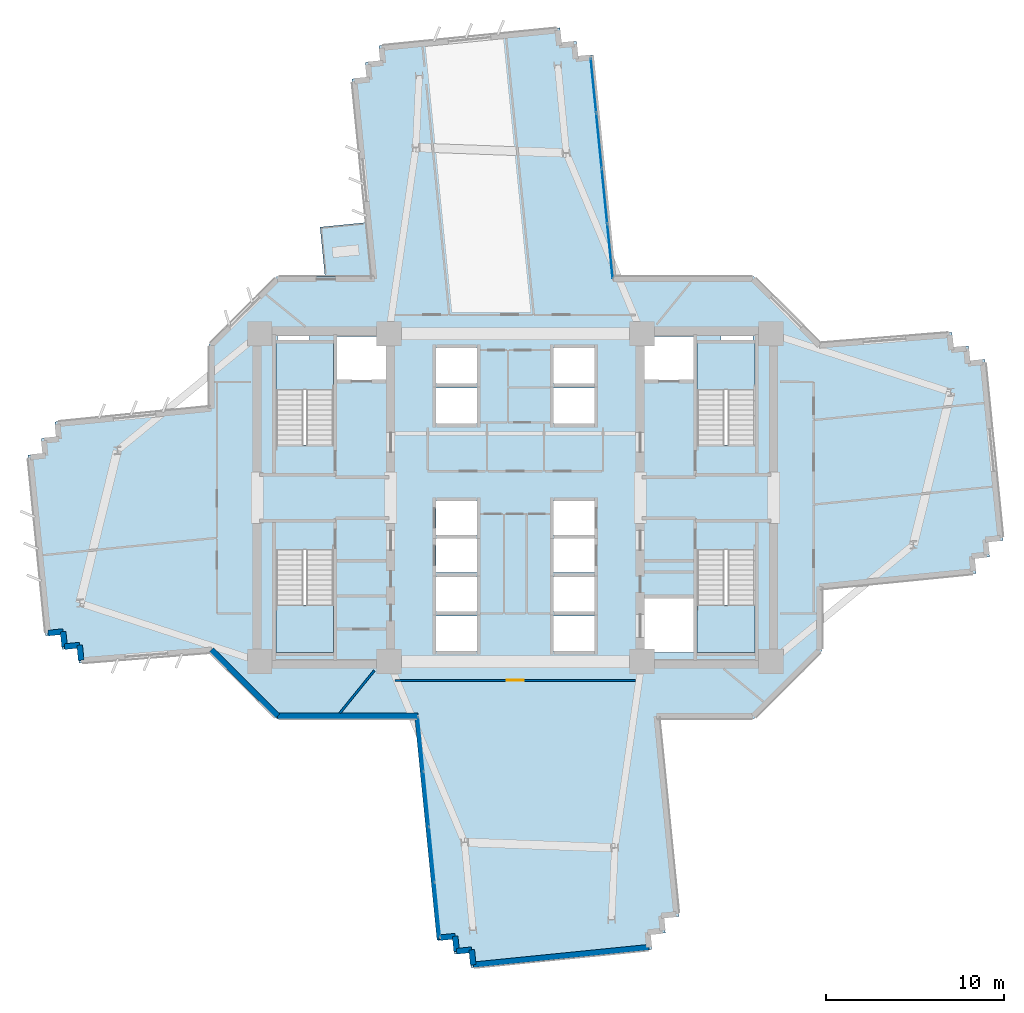
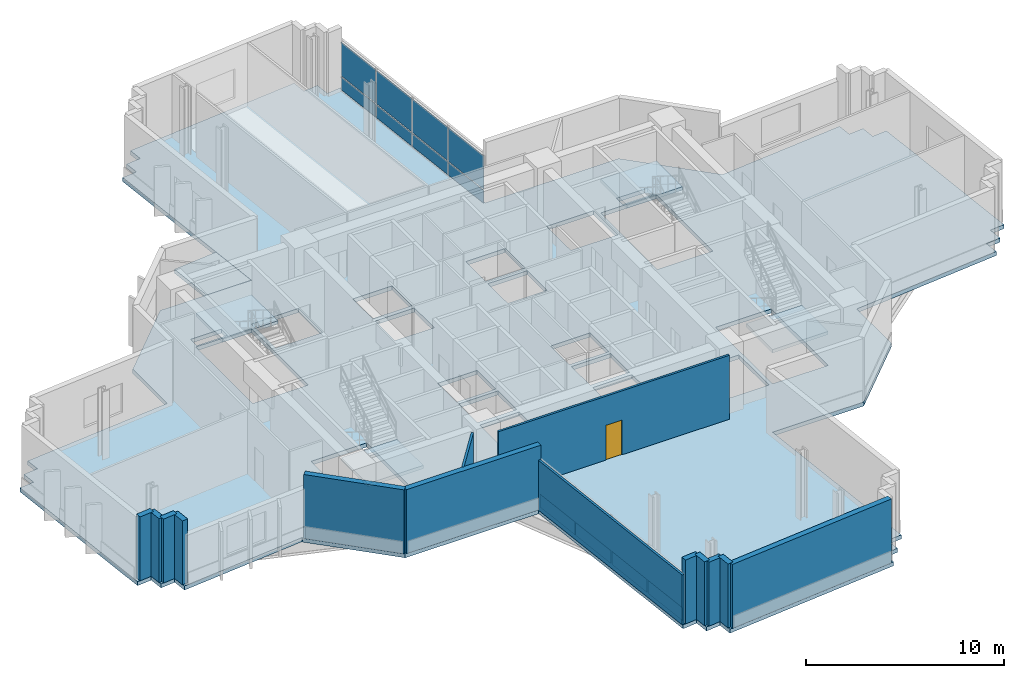
# One storey, part 5 of 14: 16 plates, 14 walls, 6 slabs, 1 door, 1 opening, 6 elements without a shape of their own.
"""IFC4 building model written with IfcOpenShell, lengths in metres."""

import ifcopenshell
import ifcopenshell.guid

model = None  # the IFC model being written
_history = None  # IfcOwnerHistory: only IFC2X3 demands one
_inside = {}  # id of a spatial element -> (the spatial element, [elements in it])
_under = {}  # id of a project, library or spatial element -> (it, [spatial elements below it])
_declared = {}  # id of a project -> (the project, [libraries it declares])
_typed = {}  # id of a type object -> (the type object, [elements of that type])
_made_of = {}  # id of a material, layer set ... -> (it, [elements and type objects made of it])


def new_model(schema):
    """Start an empty IFC model of exactly this schema.

    Asked for "IFC4X3", IfcOpenShell would pick the latest addendum, in which some entities
    have other attributes; the version numbers below select the first issue.
    IFC2X3 requires an IfcOwnerHistory on every rooted entity: one is made here for all.
    """
    global model, _history
    if schema == "IFC4X3":
        model = ifcopenshell.file(schema_version=(4, 3, 0, 0))
    else:
        model = ifcopenshell.file(schema=schema)
    _inside.clear()
    _under.clear()
    _declared.clear()
    _typed.clear()
    _made_of.clear()
    _history = None
    if model.schema == "IFC2X3":
        org = make("IfcOrganization", Name="unknown")
        user = make(
            "IfcPersonAndOrganization",
            ThePerson=make("IfcPerson", FamilyName="unknown"),
            TheOrganization=org,
        )
        app = make(
            "IfcApplication",
            ApplicationDeveloper=org,
            Version="unknown",
            ApplicationFullName="unknown",
            ApplicationIdentifier="unknown",
        )
        _history = make(
            "IfcOwnerHistory",
            OwningUser=user,
            OwningApplication=app,
            ChangeAction="ADDED",
            CreationDate=0,
        )
    return model


def make(cls, **values):
    """One entity of the class cls with the attributes given. An attribute that is None is left unset."""
    return model.create_entity(
        cls, **{name: value for name, value in values.items() if value is not None}
    )


def rooted(cls, **values):
    """An entity with a GlobalId (a new one), such as an element, a storey or a relation."""
    return make(cls, GlobalId=ifcopenshell.guid.new(), OwnerHistory=_history, **values)


def si_unit(unit_type, name, prefix=None):
    """IfcSIUnit, for example si_unit("LENGTHUNIT", "METRE", prefix="MILLI")."""
    return make("IfcSIUnit", UnitType=unit_type, Prefix=prefix, Name=name)


def assignment(units):
    """IfcUnitAssignment: the units of a project."""
    return None if units is None else make("IfcUnitAssignment", Units=units)


def point(xyz):
    """IfcCartesianPoint."""
    return None if xyz is None else make("IfcCartesianPoint", Coordinates=xyz)


def direction(xyz):
    """IfcDirection."""
    return None if xyz is None else make("IfcDirection", DirectionRatios=xyz)


def frame(location, z_axis=None, x_axis=None):
    """IfcAxis2Placement3D, a coordinate frame: its origin and axes. An axis left out is left unset."""
    return make(
        "IfcAxis2Placement3D",
        Location=point(location),
        Axis=direction(z_axis),
        RefDirection=direction(x_axis),
    )


def frame_2d(location, x_axis=None):
    """IfcAxis2Placement2D, a coordinate frame in the plane: its origin and x axis."""
    return make(
        "IfcAxis2Placement2D", Location=point(location), RefDirection=direction(x_axis)
    )


def origin():
    """The frame at (0, 0, 0) with its axes left unset."""
    return frame((0.0, 0.0, 0.0))


def origin_2d():
    """The frame at (0, 0) in the plane with its x axis left unset."""
    return frame_2d((0.0, 0.0))


def place(relative_to, where):
    """IfcLocalPlacement: puts the frame where relative to a parent placement (None: the world)."""
    return make(
        "IfcLocalPlacement", PlacementRelTo=relative_to, RelativePlacement=where
    )


def context(
    kind, dimensions, precision=None, world=None, true_north=None, identifier=None
):
    """IfcGeometricRepresentationContext, for example the 3D "Model" context."""
    return make(
        "IfcGeometricRepresentationContext",
        ContextIdentifier=identifier,
        ContextType=kind,
        CoordinateSpaceDimension=dimensions,
        Precision=precision,
        WorldCoordinateSystem=world,
        TrueNorth=true_north,
    )


def subcontext(parent, identifier, kind, view, scale=None):
    """IfcGeometricRepresentationSubContext, for example "Body" below "Model"."""
    return make(
        "IfcGeometricRepresentationSubContext",
        ContextIdentifier=identifier,
        ContextType=kind,
        ParentContext=parent,
        TargetScale=scale,
        TargetView=view,
    )


def project(units=None, contexts=None):
    """IfcProject with its units and contexts."""
    return rooted(
        "IfcProject",
        Name="project",
        RepresentationContexts=contexts,
        UnitsInContext=assignment(units),
    )


def spatial(cls, under=None, at=None, **own):
    """A site, building, storey or space (cls), placed at a placement, below another one or the project."""
    s = rooted(cls, ObjectPlacement=at, **own)
    if under is not None:
        _under.setdefault(under.id(), (under, []))[1].append(s)
    return s


def polyline(points):
    """IfcPolyline through the points."""
    return make("IfcPolyline", Points=[point(p) for p in points])


def profile(cls, at=None, kind="AREA", **sizes):
    """A parametric profile (cls). Its sizes go by their IFC names, for example OverallWidth=200.0."""
    return make(cls, ProfileType=kind, Position=at, **sizes)


def rectangle(**sizes):
    """IfcRectangleProfileDef."""
    return profile("IfcRectangleProfileDef", **sizes)


def outline(outer, holes=None, kind="AREA"):
    """IfcArbitraryClosedProfileDef: a profile drawn as a closed curve; with holes, ...WithVoids."""
    if holes is None:
        return make("IfcArbitraryClosedProfileDef", ProfileType=kind, OuterCurve=outer)
    return make(
        "IfcArbitraryProfileDefWithVoids",
        ProfileType=kind,
        OuterCurve=outer,
        InnerCurves=holes,
    )


def extrude(swept, where, along, depth):
    """IfcExtrudedAreaSolid: the profile swept, set in the frame where, extruded along a direction by depth."""
    return make(
        "IfcExtrudedAreaSolid",
        SweptArea=swept,
        Position=where,
        ExtrudedDirection=direction(along),
        Depth=depth,
    )


def shape(context_of_items, identifier, shape_type, items):
    """IfcShapeRepresentation: the items that make up one representation, for example the "Body"."""
    return make(
        "IfcShapeRepresentation",
        ContextOfItems=context_of_items,
        RepresentationIdentifier=identifier,
        RepresentationType=shape_type,
        Items=items,
    )


def source(mapping_origin, context_of_items, identifier, shape_type, items):
    """IfcRepresentationMap: a shape defined once, which mapped items show again and again."""
    return make(
        "IfcRepresentationMap",
        MappingOrigin=mapping_origin,
        MappedRepresentation=shape(context_of_items, identifier, shape_type, items),
    )


def transform(
    local_origin,
    x_axis=None,
    y_axis=None,
    z_axis=None,
    scale=None,
    scale2=None,
    scale3=None,
    uniform=True,
):
    """IfcCartesianTransformationOperator3D, or its non-uniform kind. x_axis, y_axis, z_axis: its Axis1, 2, 3."""
    if uniform:
        return make(
            "IfcCartesianTransformationOperator3D",
            Axis1=direction(x_axis),
            Axis2=direction(y_axis),
            LocalOrigin=point(local_origin),
            Scale=scale,
            Axis3=direction(z_axis),
        )
    return make(
        "IfcCartesianTransformationOperator3DnonUniform",
        Axis1=direction(x_axis),
        Axis2=direction(y_axis),
        LocalOrigin=point(local_origin),
        Scale=scale,
        Axis3=direction(z_axis),
        Scale2=scale2,
        Scale3=scale3,
    )


def mapped(mapping_source, mapping_target):
    """IfcMappedItem: shows the shape of a source again, moved by a transform."""
    return make(
        "IfcMappedItem", MappingSource=mapping_source, MappingTarget=mapping_target
    )


def material(Name=None, Category=None):
    """IfcMaterial."""
    return make("IfcMaterial", Name=Name, Category=Category)


def layer(
    of_material, thickness, ventilated=None, Name=None, Category=None, Priority=None
):
    """IfcMaterialLayer: one layer of a wall or slab, of a material (None: an air gap)."""
    return make(
        "IfcMaterialLayer",
        Material=of_material,
        LayerThickness=thickness,
        IsVentilated=ventilated,
        Name=Name,
        Category=Category,
        Priority=Priority,
    )


def layer_set(layers, Name=None):
    """IfcMaterialLayerSet."""
    return make("IfcMaterialLayerSet", MaterialLayers=layers, LayerSetName=Name)


def made_of(thing, what):
    """Note that an element or type object is made of a material, layer set ...; save() writes the relation."""
    if what is not None:
        _made_of.setdefault(what.id(), (what, []))[1].append(thing)
    return thing


def type_object(cls, material=None, **own):
    """A type object (cls), such as IfcWallType, which elements share."""
    return made_of(rooted(cls, **own), material)


def element(
    cls,
    number,
    at=None,
    inside=None,
    cuts=None,
    type_object=None,
    material=None,
    context=None,
    identifier="Body",
    shape_type=None,
    held_by="IfcProductDefinitionShape",
    body=None,
    shapes=None,
    **own,
):
    """One element of the class cls, such as IfcWall. Its Tag is "e" and its number.

    at: its placement. inside: the storey or other place that contains it. cuts: it is an
    opening in that element (IfcRelVoidsElement). A single representation is given by context,
    identifier, shape_type and body (its items); several are given by shapes. held_by: the class
    of the entity that holds the representations. save() writes the other relations.
    """
    e = rooted(cls, Tag="e%d" % number, ObjectPlacement=at, **own)
    if body is not None:
        shapes = [shape(context, identifier, shape_type, body)]
    if shapes is not None:
        e.Representation = make(held_by, Representations=shapes)
    if inside is not None:
        _inside.setdefault(inside.id(), (inside, []))[1].append(e)
    if cuts is not None:
        rooted(
            "IfcRelVoidsElement", RelatingBuildingElement=cuts, RelatedOpeningElement=e
        )
    if type_object is not None:
        _typed.setdefault(type_object.id(), (type_object, []))[1].append(e)
    return made_of(e, material)


def fill(opening, filler):
    """IfcRelFillsElement: the door or window that sits in an opening."""
    return rooted(
        "IfcRelFillsElement",
        RelatingOpeningElement=opening,
        RelatedBuildingElement=filler,
    )


def aggregate(whole, parts):
    """IfcRelAggregates: a whole, such as a stair, and the parts it consists of."""
    return rooted("IfcRelAggregates", RelatingObject=whole, RelatedObjects=parts)


def save(model, path):
    """Write the relations noted so far, then the file.

    IfcRelAggregates (storeys below a building ...), IfcRelContainedInSpatialStructure (elements
    in a storey), IfcRelDefinesByType, IfcRelAssociatesMaterial and IfcRelDeclares: one each for
    every whole, place, type object, material and project.
    """
    for whole, parts in _under.values():
        aggregate(whole, parts)
    for where, things in _inside.values():
        rooted(
            "IfcRelContainedInSpatialStructure",
            RelatedElements=things,
            RelatingStructure=where,
        )
    for kind, things in _typed.values():
        rooted("IfcRelDefinesByType", RelatedObjects=things, RelatingType=kind)
    for what, things in _made_of.values():
        rooted("IfcRelAssociatesMaterial", RelatedObjects=things, RelatingMaterial=what)
    for by, libraries in _declared.values():
        rooted("IfcRelDeclares", RelatingContext=by, RelatedDefinitions=libraries)
    model.write(path)


model = new_model("IFC4")

# Units and contexts
model_context = context("Model", 3, precision=1e-05, world=origin(), true_north=direction((0.0, 1.0)))
body_context = subcontext(model_context, "Body", "Model", "MODEL_VIEW")
ifc_project = project(units=[si_unit("LENGTHUNIT", "METRE"), si_unit("AREAUNIT", "SQUARE_METRE"), si_unit("VOLUMEUNIT", "CUBIC_METRE"), si_unit("PLANEANGLEUNIT", "RADIAN"), si_unit("MASSUNIT", "GRAM", prefix="KILO")], contexts=[model_context])

# Site, building, storey
site_placement = place(None, origin())
site = spatial("IfcSite", under=ifc_project, at=site_placement, CompositionType="ELEMENT")
building_placement = place(site_placement, origin())
building = spatial("IfcBuilding", under=site, at=building_placement, Name="Zahravan Cultural Tower", CompositionType="ELEMENT")
storey_placement = place(building_placement, frame((0.0, 0.0, 96.300048828125)))
storey = spatial("IfcBuildingStorey", under=building, at=storey_placement, Name="L21", CompositionType="ELEMENT", Elevation=96.300048828125)

# Stair, slab
ifc_material_1 = material(Name="Concrete C45/55", Category="concrete")
stair_type = type_object("IfcStairType", Name="STR-DL-1550-420", PredefinedType="HALF_TURN_STAIR", material=ifc_material_1)
stair_1_placement = place(storey_placement, origin())
stair_1 = element("IfcStair", 1, at=stair_1_placement, inside=storey, type_object=stair_type, Name="L21 West Core North Exit Stair ST-W1", PredefinedType="HALF_TURN_STAIR")
ifc_layer_1 = layer(ifc_material_1, 0.199951171875)
ifc_layer_set_1 = layer_set([ifc_layer_1], Name="Concrete C45/55")
slab_type_1 = type_object("IfcSlabType", Name="SL-STAIR-LND200", PredefinedType="LANDING", material=ifc_layer_set_1)
slab_1_placement = place(storey_placement, frame((0.0, 0.0, 1.89990234375)))
slab_1 = element("IfcSlab", 2, at=slab_1_placement, type_object=slab_type_1, Name="ST-W1 landing 1", PredefinedType="LANDING", context=body_context, shape_type="SweptSolid", body=[
    extrude(outline(polyline([(25.800048828125, 33.030029296875), (25.800048828125, 35.699951171875), (22.550048828125, 35.699951171875), (22.550048828125, 33.030029296875), (25.800048828125, 33.030029296875)])), origin(), (0.0, 0.0, 1.0), 0.199951171875),
])
aggregate(stair_1, [slab_1])

stair_2_placement = place(storey_placement, origin())
stair_2 = element("IfcStair", 3, at=stair_2_placement, inside=storey, type_object=stair_type, Name="L21 West Core South Exit Stair ST-W2", PredefinedType="HALF_TURN_STAIR")
slab_2_placement = place(storey_placement, frame((0.0, 0.0, 1.89990234375)))
slab_2 = element("IfcSlab", 4, at=slab_2_placement, type_object=slab_type_1, Name="ST-W2 landing 1", PredefinedType="LANDING", context=body_context, shape_type="SweptSolid", body=[
    extrude(outline(polyline([(22.550048828125, 20.969970703125), (22.550048828125, 18.300048828125), (25.800048828125, 18.300048828125), (25.800048828125, 20.969970703125), (22.550048828125, 20.969970703125)])), origin(), (0.0, 0.0, 1.0), 0.199951171875),
])
aggregate(stair_2, [slab_2])

stair_3_placement = place(storey_placement, origin())
stair_3 = element("IfcStair", 5, at=stair_3_placement, inside=storey, type_object=stair_type, Name="L21 East Core North Exit Stair ST-E1", PredefinedType="HALF_TURN_STAIR")
slab_3_placement = place(storey_placement, frame((0.0, 0.0, 1.89990234375)))
slab_3 = element("IfcSlab", 6, at=slab_3_placement, type_object=slab_type_1, Name="ST-E1 landing 1", PredefinedType="LANDING", context=body_context, shape_type="SweptSolid", body=[
    extrude(outline(polyline([(49.449951171875, 33.030029296875), (49.449951171875, 35.699951171875), (46.199951171875, 35.699951171875), (46.199951171875, 33.030029296875), (49.449951171875, 33.030029296875)])), origin(), (0.0, 0.0, 1.0), 0.199951171875),
])
aggregate(stair_3, [slab_3])

stair_4_placement = place(storey_placement, origin())
stair_4 = element("IfcStair", 7, at=stair_4_placement, inside=storey, type_object=stair_type, Name="L21 East Core South Exit Stair ST-E2", PredefinedType="HALF_TURN_STAIR")
slab_4_placement = place(storey_placement, frame((0.0, 0.0, 1.89990234375)))
slab_4 = element("IfcSlab", 8, at=slab_4_placement, type_object=slab_type_1, Name="ST-E2 landing 1", PredefinedType="LANDING", context=body_context, shape_type="SweptSolid", body=[
    extrude(outline(polyline([(46.199951171875, 20.969970703125), (46.199951171875, 18.300048828125), (49.449951171875, 18.300048828125), (49.449951171875, 20.969970703125), (46.199951171875, 20.969970703125)])), origin(), (0.0, 0.0, 1.0), 0.199951171875),
])
aggregate(stair_4, [slab_4])

# Slabs
ifc_material_2 = material(Name="Concrete C40/50", Category="concrete")
ifc_layer_2 = layer(ifc_material_2, 0.239990234375)
ifc_layer_set_2 = layer_set([ifc_layer_2], Name="Concrete C40/50")
slab_type_2 = type_object("IfcSlabType", Name="SL-TERR-240", PredefinedType="FLOOR", material=ifc_layer_set_2)
slab_5_placement = place(storey_placement, frame((0.0, 0.0, -0.239990234375)))
element("IfcSlab", 9, at=slab_5_placement, inside=storey, type_object=slab_type_2, Name="L21 Planted Sculpture Terrace NW", PredefinedType="FLOOR", context=body_context, shape_type="SweptSolid", body=[
    extrude(outline(polyline([(25.03759765625, 42.186279296875), (25.315185546875, 39.405029296875), (27.923095703125, 39.405029296875), (27.61962890625, 42.444091796875), (25.03759765625, 42.186279296875)])), origin(), (0.0, 0.0, 1.0), 0.239990234375),
])
ifc_layer_3 = layer(ifc_material_2, 0.25)
ifc_layer_set_3 = layer_set([ifc_layer_3], Name="Concrete C40/50")
slab_type_3 = type_object("IfcSlabType", Name="SL-TYP-250", PredefinedType="FLOOR", material=ifc_layer_set_3)
slab_6_placement = place(storey_placement, frame((0.0, 0.0, -0.25)))
element("IfcSlab", 10, at=slab_6_placement, inside=storey, type_object=slab_type_3, Name="L21 Structural Floor Slab", PredefinedType="FLOOR", context=body_context, shape_type="SweptSolid", body=[
    extrude(outline(polyline([(53.199951171875, 35.550537109375), (53.199951171875, 35.60009765625), (49.39990234375, 39.39990234375), (41.59619140625, 39.39990234375), (40.352783203125, 51.855224609375), (39.507080078125, 51.770751953125), (39.422607421875, 52.61669921875), (38.576904296875, 52.5322265625), (38.492431640625, 53.3779296875), (28.343017578125, 52.364990234375), (28.42724609375, 51.51904296875), (27.58154296875, 51.434814453125), (27.666015625, 50.5888671875), (26.8203125, 50.50439453125), (27.928466796875, 39.39990234375), (22.60009765625, 39.39990234375), (18.800048828125, 35.60009765625), (18.800048828125, 32.116943359375), (10.149658203125, 31.253662109375), (10.234130859375, 30.40771484375), (9.38818359375, 30.323486328125), (9.472900390625, 29.4775390625), (8.626953125, 29.393310546875), (9.639892578125, 19.24365234375), (10.48583984375, 19.327880859375), (10.5703125, 18.482177734375), (11.416015625, 18.566650390625), (11.50048828125, 17.720703125), (18.800048828125, 18.449462890625), (18.800048828125, 18.39990234375), (22.60009765625, 14.60009765625), (30.40380859375, 14.60009765625), (31.647216796875, 2.144775390625), (32.492919921875, 2.229248046875), (32.577392578125, 1.38330078125), (33.423095703125, 1.4677734375), (33.507568359375, 0.6220703125), (43.656982421875, 1.635009765625), (43.57275390625, 2.48095703125), (44.41845703125, 2.565185546875), (44.333984375, 3.4111328125), (45.1796875, 3.49560546875), (44.071533203125, 14.60009765625), (49.39990234375, 14.60009765625), (53.199951171875, 18.39990234375), (53.199951171875, 21.883056640625), (61.850341796875, 22.746337890625), (61.765869140625, 23.59228515625), (62.61181640625, 23.676513671875), (62.527099609375, 24.5224609375), (63.373046875, 24.606689453125), (62.360107421875, 34.75634765625), (61.51416015625, 34.672119140625), (61.4296875, 35.517822265625), (60.583984375, 35.433349609375), (60.49951171875, 36.279296875), (53.199951171875, 35.550537109375)]), holes=[polyline([(22.550048828125, 29.949951171875), (22.550048828125, 35.699951171875), (25.800048828125, 35.699951171875), (25.800048828125, 29.949951171875), (22.550048828125, 29.949951171875)]), polyline([(22.550048828125, 18.300048828125), (22.550048828125, 24.050048828125), (25.800048828125, 24.050048828125), (25.800048828125, 18.300048828125), (22.550048828125, 18.300048828125)]), polyline([(46.199951171875, 29.949951171875), (46.199951171875, 35.699951171875), (49.449951171875, 35.699951171875), (49.449951171875, 29.949951171875), (46.199951171875, 29.949951171875)]), polyline([(46.199951171875, 18.300048828125), (46.199951171875, 24.050048828125), (49.449951171875, 24.050048828125), (49.449951171875, 18.300048828125), (46.199951171875, 18.300048828125)]), polyline([(26.0, 33.60009765625), (26.0, 36.050048828125), (28.75, 36.050048828125), (28.75, 33.60009765625), (26.0, 33.60009765625)]), polyline([(43.25, 33.60009765625), (43.25, 36.050048828125), (46.0, 36.050048828125), (46.0, 33.60009765625), (43.25, 33.60009765625)]), polyline([(43.25, 18.300048828125), (43.25, 21.35009765625), (46.0, 21.35009765625), (46.0, 18.300048828125), (43.25, 18.300048828125)]), polyline([(31.550048828125, 33.39990234375), (31.550048828125, 35.39990234375), (33.85009765625, 35.39990234375), (33.85009765625, 33.39990234375), (31.550048828125, 33.39990234375)]), polyline([(31.550048828125, 31.14990234375), (31.550048828125, 33.14990234375), (33.85009765625, 33.14990234375), (33.85009765625, 31.14990234375), (31.550048828125, 31.14990234375)]), polyline([(38.14990234375, 33.39990234375), (38.14990234375, 35.39990234375), (40.449951171875, 35.39990234375), (40.449951171875, 33.39990234375), (38.14990234375, 33.39990234375)]), polyline([(38.14990234375, 31.14990234375), (38.14990234375, 33.14990234375), (40.449951171875, 33.14990234375), (40.449951171875, 31.14990234375), (38.14990234375, 31.14990234375)]), polyline([(31.550048828125, 20.60009765625), (31.550048828125, 22.550048828125), (33.85009765625, 22.550048828125), (33.85009765625, 20.60009765625), (31.550048828125, 20.60009765625)]), polyline([(31.550048828125, 18.39990234375), (31.550048828125, 20.35009765625), (33.85009765625, 20.35009765625), (33.85009765625, 18.39990234375), (31.550048828125, 18.39990234375)]), polyline([(38.14990234375, 20.60009765625), (38.14990234375, 22.550048828125), (40.449951171875, 22.550048828125), (40.449951171875, 20.60009765625), (38.14990234375, 20.60009765625)]), polyline([(38.14990234375, 18.39990234375), (38.14990234375, 20.35009765625), (40.449951171875, 20.35009765625), (40.449951171875, 18.39990234375), (38.14990234375, 18.39990234375)]), polyline([(31.550048828125, 24.89990234375), (31.550048828125, 26.800048828125), (33.85009765625, 26.800048828125), (33.85009765625, 24.89990234375), (31.550048828125, 24.89990234375)]), polyline([(31.550048828125, 22.800048828125), (31.550048828125, 24.699951171875), (33.85009765625, 24.699951171875), (33.85009765625, 22.800048828125), (31.550048828125, 22.800048828125)]), polyline([(38.14990234375, 24.89990234375), (38.14990234375, 26.800048828125), (40.449951171875, 26.800048828125), (40.449951171875, 24.89990234375), (38.14990234375, 24.89990234375)]), polyline([(38.14990234375, 22.800048828125), (38.14990234375, 24.699951171875), (40.449951171875, 24.699951171875), (40.449951171875, 22.800048828125), (38.14990234375, 22.800048828125)]), polyline([(22.64990234375, 35.800048828125), (22.64990234375, 36.419921875), (24.449951171875, 36.419921875), (24.449951171875, 35.800048828125), (22.64990234375, 35.800048828125)]), polyline([(47.550048828125, 35.800048828125), (47.550048828125, 36.419921875), (49.35009765625, 36.419921875), (49.35009765625, 35.800048828125), (47.550048828125, 35.800048828125)])]), origin(), (0.0, 0.0, 1.0), 0.25),
])

# Curtain wall, plates
ifc_material_3 = material(Name="Anodised bronze-aluminium mullion", Category="aluminium")
ifc_layer_4 = layer(ifc_material_3, 0.179931640625)
ifc_layer_set_4 = layer_set([ifc_layer_4], Name="Anodised bronze-aluminium mullion")
curtain_wall_type_1 = type_object("IfcCurtainWallType", Name="CW-SYS-3", PredefinedType="USERDEFINED", material=ifc_layer_set_4)
curtain_wall_1_placement = place(storey_placement, origin())
curtain_wall_1 = element("IfcCurtainWall", 11, at=curtain_wall_1_placement, inside=storey, type_object=curtain_wall_type_1, Name="L21 Recessed Curtain Wall CW-3.1", ObjectType="RECESSED GLAZING", PredefinedType="USERDEFINED")
ifc_material_4 = material(Name="Low-E solar-control double glazing", Category="glass")
ifc_layer_5 = layer(ifc_material_4, 0.028076171875)
ifc_layer_set_5 = layer_set([ifc_layer_5], Name="Low-E solar-control double glazing")
plate_type_1 = type_object("IfcPlateType", Name="CWP-CW-3", PredefinedType="CURTAIN_PANEL", material=ifc_layer_set_5)
shared_shape_1 = source(origin(), body_context, "Body", "SweptSolid", [
    extrude(rectangle(XDim=3.02099609375, YDim=0.028076171875, at=origin_2d()), origin(), (0.0, 0.0, 1.0), 0.794921875),
])
plate_1_placement = place(storey_placement, frame((40.384521484375, 50.12939453125, 0.070068359375), z_axis=(0.0, 0.0, 1.0), x_axis=(0.099321594883, -0.99505538579, 0.0)))
plate_1 = element("IfcPlate", 12, at=plate_1_placement, type_object=plate_type_1, Name="CW-3 panel 1.1", PredefinedType="CURTAIN_PANEL", context=body_context, shape_type="MappedRepresentation", body=[
    mapped(shared_shape_1, transform((0.0, 0.0, 0.0), x_axis=(1.0, 0.0, 0.0), y_axis=(0.0, 1.0, 0.0), z_axis=(0.0, 0.0, 1.0), scale=1.0)),
])
plate_2_placement = place(storey_placement, frame((41.3125, 40.832763671875, 0.070068359375), z_axis=(0.0, 0.0, 1.0), x_axis=(0.099321594883, -0.99505538579, 0.0)))
plate_2 = element("IfcPlate", 13, at=plate_2_placement, type_object=plate_type_1, Name="CW-3 panel 4.1", PredefinedType="CURTAIN_PANEL", context=body_context, shape_type="MappedRepresentation", body=[
    mapped(shared_shape_1, transform((0.0, 0.0, 0.0), x_axis=(1.0, 0.0, 0.0), y_axis=(0.0, 1.0, 0.0), z_axis=(0.0, 0.0, 1.0), scale=1.0)),
])
shared_shape_2 = source(origin(), body_context, "Body", "SweptSolid", [
    extrude(rectangle(XDim=3.02099609375, YDim=0.028076171875, at=origin_2d()), origin(), (0.0, 0.0, 1.0), 2.06494140625),
])
plate_3_placement = place(storey_placement, frame((40.384521484375, 50.12939453125, 0.93505859375), z_axis=(0.0, 0.0, 1.0), x_axis=(0.099321594883, -0.99505538579, 0.0)))
plate_3 = element("IfcPlate", 14, at=plate_3_placement, type_object=plate_type_1, Name="CW-3 panel 1.2", PredefinedType="CURTAIN_PANEL", context=body_context, shape_type="MappedRepresentation", body=[
    mapped(shared_shape_2, transform((0.0, 0.0, 0.0), x_axis=(1.0, 0.0, 0.0), y_axis=(0.0, 1.0, 0.0), z_axis=(0.0, 0.0, 1.0), scale=1.0)),
])
plate_4_placement = place(storey_placement, frame((41.3125, 40.832763671875, 0.93505859375), z_axis=(0.0, 0.0, 1.0), x_axis=(0.099321594883, -0.99505538579, 0.0)))
plate_4 = element("IfcPlate", 15, at=plate_4_placement, type_object=plate_type_1, Name="CW-3 panel 4.2", PredefinedType="CURTAIN_PANEL", context=body_context, shape_type="MappedRepresentation", body=[
    mapped(shared_shape_2, transform((0.0, 0.0, 0.0), x_axis=(1.0, 0.0, 0.0), y_axis=(0.0, 1.0, 0.0), z_axis=(0.0, 0.0, 1.0), scale=1.0)),
])
shared_shape_3 = source(origin(), body_context, "Body", "SweptSolid", [
    extrude(rectangle(XDim=3.055908203125, YDim=0.028076171875, at=origin_2d()), origin(), (0.0, 0.0, 1.0), 0.794921875),
])
plate_5_placement = place(storey_placement, frame((40.693115234375, 47.0361328125, 0.070068359375), z_axis=(0.0, 0.0, 1.0), x_axis=(0.099321594883, -0.99505538579, 0.0)))
plate_5 = element("IfcPlate", 16, at=plate_5_placement, type_object=plate_type_1, Name="CW-3 panel 2.1", PredefinedType="CURTAIN_PANEL", context=body_context, shape_type="MappedRepresentation", body=[
    mapped(shared_shape_3, transform((0.0, 0.0, 0.0), x_axis=(1.0, 0.0, 0.0), y_axis=(0.0, 1.0, 0.0), z_axis=(0.0, 0.0, 1.0), scale=1.0)),
])
plate_6_placement = place(storey_placement, frame((41.003662109375, 43.92578125, 0.070068359375), z_axis=(0.0, 0.0, 1.0), x_axis=(0.099321594883, -0.99505538579, 0.0)))
plate_6 = element("IfcPlate", 17, at=plate_6_placement, type_object=plate_type_1, Name="CW-3 panel 3.1", PredefinedType="CURTAIN_PANEL", context=body_context, shape_type="MappedRepresentation", body=[
    mapped(shared_shape_3, transform((0.0, 0.0, 0.0), x_axis=(1.0, 0.0, 0.0), y_axis=(0.0, 1.0, 0.0), z_axis=(0.0, 0.0, 1.0), scale=1.0)),
])
shared_shape_4 = source(origin(), body_context, "Body", "SweptSolid", [
    extrude(rectangle(XDim=3.055908203125, YDim=0.028076171875, at=origin_2d()), origin(), (0.0, 0.0, 1.0), 2.06494140625),
])
plate_7_placement = place(storey_placement, frame((40.693115234375, 47.0361328125, 0.93505859375), z_axis=(0.0, 0.0, 1.0), x_axis=(0.099321594883, -0.99505538579, 0.0)))
plate_7 = element("IfcPlate", 18, at=plate_7_placement, type_object=plate_type_1, Name="CW-3 panel 2.2", PredefinedType="CURTAIN_PANEL", context=body_context, shape_type="MappedRepresentation", body=[
    mapped(shared_shape_4, transform((0.0, 0.0, 0.0), x_axis=(1.0, 0.0, 0.0), y_axis=(0.0, 1.0, 0.0), z_axis=(0.0, 0.0, 1.0), scale=1.0)),
])
plate_8_placement = place(storey_placement, frame((41.003662109375, 43.92578125, 0.93505859375), z_axis=(0.0, 0.0, 1.0), x_axis=(0.099321594883, -0.99505538579, 0.0)))
plate_8 = element("IfcPlate", 19, at=plate_8_placement, type_object=plate_type_1, Name="CW-3 panel 3.2", PredefinedType="CURTAIN_PANEL", context=body_context, shape_type="MappedRepresentation", body=[
    mapped(shared_shape_4, transform((0.0, 0.0, 0.0), x_axis=(1.0, 0.0, 0.0), y_axis=(0.0, 1.0, 0.0), z_axis=(0.0, 0.0, 1.0), scale=1.0)),
])
aggregate(curtain_wall_1, [plate_1, plate_3, plate_5, plate_7, plate_6, plate_8, plate_2, plate_4])

ifc_layer_6 = layer(ifc_material_3, 0.1650390625)
ifc_layer_set_6 = layer_set([ifc_layer_6], Name="Anodised bronze-aluminium mullion")
curtain_wall_type_2 = type_object("IfcCurtainWallType", Name="CW-SYS-4", PredefinedType="USERDEFINED", material=ifc_layer_set_6)
curtain_wall_2_placement = place(storey_placement, origin())
curtain_wall_2 = element("IfcCurtainWall", 20, at=curtain_wall_2_placement, inside=storey, type_object=curtain_wall_type_2, Name="L21 Recessed Curtain Wall CW-4.2", ObjectType="RECESSED GLAZING", PredefinedType="USERDEFINED")
ifc_layer_7 = layer(ifc_material_4, 0.02587890625)
ifc_layer_set_7 = layer_set([ifc_layer_7], Name="Low-E solar-control double glazing")
plate_type_2 = type_object("IfcPlateType", Name="CWP-CW-4", PredefinedType="CURTAIN_PANEL", material=ifc_layer_set_7)
shared_shape_5 = source(origin(), body_context, "Body", "SweptSolid", [
    extrude(rectangle(XDim=3.028564453125, YDim=0.02587890625, at=origin_2d()), origin(), (0.0, 0.0, 1.0), 0.802490234375),
])
plate_9_placement = place(storey_placement, frame((31.61572265625, 3.869384765625, 0.06494140625), z_axis=(0.0, 0.0, 1.0), x_axis=(-0.099321594883, 0.99505538579, 0.0)))
plate_9 = element("IfcPlate", 21, at=plate_9_placement, type_object=plate_type_2, Name="CW-4 panel 1.1", PredefinedType="CURTAIN_PANEL", context=body_context, shape_type="MappedRepresentation", body=[
    mapped(shared_shape_5, transform((0.0, 0.0, 0.0), x_axis=(1.0, 0.0, 0.0), y_axis=(0.0, 1.0, 0.0), z_axis=(0.0, 0.0, 1.0), scale=1.0)),
])
plate_10_placement = place(storey_placement, frame((30.6875, 13.168701171875, 0.06494140625), z_axis=(0.0, 0.0, 1.0), x_axis=(-0.099321594883, 0.99505538579, 0.0)))
plate_10 = element("IfcPlate", 22, at=plate_10_placement, type_object=plate_type_2, Name="CW-4 panel 4.1", PredefinedType="CURTAIN_PANEL", context=body_context, shape_type="MappedRepresentation", body=[
    mapped(shared_shape_5, transform((0.0, 0.0, 0.0), x_axis=(1.0, 0.0, 0.0), y_axis=(0.0, 1.0, 0.0), z_axis=(0.0, 0.0, 1.0), scale=1.0)),
])
shared_shape_6 = source(origin(), body_context, "Body", "SweptSolid", [
    extrude(rectangle(XDim=3.028564453125, YDim=0.02587890625, at=origin_2d()), origin(), (0.0, 0.0, 1.0), 2.072509765625),
])
plate_11_placement = place(storey_placement, frame((31.61572265625, 3.869384765625, 0.9326171875), z_axis=(0.0, 0.0, 1.0), x_axis=(-0.099321594883, 0.99505538579, 0.0)))
plate_11 = element("IfcPlate", 23, at=plate_11_placement, type_object=plate_type_2, Name="CW-4 panel 1.2", PredefinedType="CURTAIN_PANEL", context=body_context, shape_type="MappedRepresentation", body=[
    mapped(shared_shape_6, transform((0.0, 0.0, 0.0), x_axis=(1.0, 0.0, 0.0), y_axis=(0.0, 1.0, 0.0), z_axis=(0.0, 0.0, 1.0), scale=1.0)),
])
plate_12_placement = place(storey_placement, frame((30.6875, 13.168701171875, 0.9326171875), z_axis=(0.0, 0.0, 1.0), x_axis=(-0.099321594883, 0.99505538579, 0.0)))
plate_12 = element("IfcPlate", 24, at=plate_12_placement, type_object=plate_type_2, Name="CW-4 panel 4.2", PredefinedType="CURTAIN_PANEL", context=body_context, shape_type="MappedRepresentation", body=[
    mapped(shared_shape_6, transform((0.0, 0.0, 0.0), x_axis=(1.0, 0.0, 0.0), y_axis=(0.0, 1.0, 0.0), z_axis=(0.0, 0.0, 1.0), scale=1.0)),
])
shared_shape_7 = source(origin(), body_context, "Body", "SweptSolid", [
    extrude(rectangle(XDim=3.06103515625, YDim=0.02587890625, at=origin_2d()), origin(), (0.0, 0.0, 1.0), 0.802490234375),
])
plate_13_placement = place(storey_placement, frame((31.306884765625, 6.9638671875, 0.06494140625), z_axis=(0.0, 0.0, 1.0), x_axis=(-0.099321594883, 0.99505538579, 0.0)))
plate_13 = element("IfcPlate", 25, at=plate_13_placement, type_object=plate_type_2, Name="CW-4 panel 2.1", PredefinedType="CURTAIN_PANEL", context=body_context, shape_type="MappedRepresentation", body=[
    mapped(shared_shape_7, transform((0.0, 0.0, 0.0), x_axis=(1.0, 0.0, 0.0), y_axis=(0.0, 1.0, 0.0), z_axis=(0.0, 0.0, 1.0), scale=1.0)),
])
plate_14_placement = place(storey_placement, frame((30.996337890625, 10.07421875, 0.06494140625), z_axis=(0.0, 0.0, 1.0), x_axis=(-0.099321594883, 0.99505538579, 0.0)))
plate_14 = element("IfcPlate", 26, at=plate_14_placement, type_object=plate_type_2, Name="CW-4 panel 3.1", PredefinedType="CURTAIN_PANEL", context=body_context, shape_type="MappedRepresentation", body=[
    mapped(shared_shape_7, transform((0.0, 0.0, 0.0), x_axis=(1.0, 0.0, 0.0), y_axis=(0.0, 1.0, 0.0), z_axis=(0.0, 0.0, 1.0), scale=1.0)),
])
shared_shape_8 = source(origin(), body_context, "Body", "SweptSolid", [
    extrude(rectangle(XDim=3.06103515625, YDim=0.02587890625, at=origin_2d()), origin(), (0.0, 0.0, 1.0), 2.072509765625),
])
plate_15_placement = place(storey_placement, frame((31.306884765625, 6.9638671875, 0.9326171875), z_axis=(0.0, 0.0, 1.0), x_axis=(-0.099321594883, 0.99505538579, 0.0)))
plate_15 = element("IfcPlate", 27, at=plate_15_placement, type_object=plate_type_2, Name="CW-4 panel 2.2", PredefinedType="CURTAIN_PANEL", context=body_context, shape_type="MappedRepresentation", body=[
    mapped(shared_shape_8, transform((0.0, 0.0, 0.0), x_axis=(1.0, 0.0, 0.0), y_axis=(0.0, 1.0, 0.0), z_axis=(0.0, 0.0, 1.0), scale=1.0)),
])
plate_16_placement = place(storey_placement, frame((30.996337890625, 10.07421875, 0.9326171875), z_axis=(0.0, 0.0, 1.0), x_axis=(-0.099321594883, 0.99505538579, 0.0)))
plate_16 = element("IfcPlate", 28, at=plate_16_placement, type_object=plate_type_2, Name="CW-4 panel 3.2", PredefinedType="CURTAIN_PANEL", context=body_context, shape_type="MappedRepresentation", body=[
    mapped(shared_shape_8, transform((0.0, 0.0, 0.0), x_axis=(1.0, 0.0, 0.0), y_axis=(0.0, 1.0, 0.0), z_axis=(0.0, 0.0, 1.0), scale=1.0)),
])
aggregate(curtain_wall_2, [plate_9, plate_11, plate_13, plate_15, plate_14, plate_16, plate_10, plate_12])

# Wall, opening, door
ifc_material_5 = material(Name="Gypsum plasterboard partition")
ifc_layer_8 = layer(ifc_material_5, 0.125)
ifc_layer_set_8 = layer_set([ifc_layer_8], Name="Gypsum plasterboard partition")
wall_type_1 = type_object("IfcWallType", Name="W-PART-125", PredefinedType="PARTITIONING", material=ifc_layer_set_8)
wall_1_placement = place(storey_placement, frame((29.255859375, 16.739990234375, 0.0), z_axis=(0.0, 0.0, 1.0), x_axis=(1.0, 0.0, 0.0)))
wall_1 = element("IfcWall", 29, at=wall_1_placement, inside=storey, type_object=wall_type_1, Name="L21 Interior Wall 114", PredefinedType="PARTITIONING", context=body_context, shape_type="SweptSolid", body=[
    extrude(rectangle(XDim=13.48828125, YDim=0.125, at=frame_2d((6.744140625, 0.0))), origin(), (0.0, 0.0, 1.0), 3.949951171875),
])
opening_placement = place(wall_1_placement, frame((6.26904296875, 0.0, 0.0)))
opening = element("IfcOpeningElement", 30, at=opening_placement, cuts=wall_1, Name="Opening D-L21-29", PredefinedType="OPENING", context=body_context, shape_type="SweptSolid", body=[
    extrude(rectangle(XDim=0.949951171875, YDim=2.14990234375, at=frame_2d((0.47509765625, 1.074951171875))), frame((0.0, 0.072509765625, 0.0), z_axis=(0.0, -1.0, 0.0), x_axis=(1.0, 0.0, 0.0)), (0.0, 0.0, 1.0), 0.14501953125),
])
door_type = type_object("IfcDoorType", Name="DR-ROOM-950", OperationType="NOTDEFINED", PredefinedType="DOOR", material=ifc_material_3)
shared_shape_9 = source(origin(), body_context, "Body", "SweptSolid", [
    extrude(rectangle(XDim=0.949951171875, YDim=2.14990234375, at=frame_2d((0.47509765625, 1.074951171875))), frame((0.0, 0.02490234375, 0.0), z_axis=(0.0, -1.0, 0.0), x_axis=(1.0, 0.0, 0.0)), (0.0, 0.0, 1.0), 0.050048828125),
])
door_placement = place(opening_placement, origin())
door = element("IfcDoor", 31, at=door_placement, inside=storey, type_object=door_type, Name="L21 Door D-L21-29", OperationType="SINGLE_SWING_RIGHT", OverallHeight=2.14990234375, OverallWidth=0.949951171875, PredefinedType="DOOR", context=body_context, shape_type="MappedRepresentation", body=[
    mapped(shared_shape_9, transform((0.0, 0.0, 0.0), x_axis=(1.0, 0.0, 0.0), y_axis=(0.0, 1.0, 0.0), z_axis=(0.0, 0.0, 1.0), scale=1.0)),
])
fill(opening, door)

# Walls
ifc_material_6 = material(Name="Precast concrete C40/50", Category="concrete")
ifc_layer_9 = layer(ifc_material_6, 0.320068359375)
ifc_layer_set_9 = layer_set([ifc_layer_9], Name="Precast concrete C40/50")
wall_type_2 = type_object("IfcWallType", Name="EW-TC-320", PredefinedType="SOLIDWALL", material=ifc_layer_set_9)
shared_shape_10 = source(origin(), body_context, "Body", "SweptSolid", [
    extrude(rectangle(XDim=0.849853515625, YDim=0.320068359375, at=frame_2d((0.4248046875, 0.0))), origin(), (0.0, 0.0, 1.0), 3.949951171875),
])
for number, where, z_axis, x_axis, name in (
    (32, (11.6259765625, 17.8740234375, 0.0), (0.0, 0.0, 1.0), (-0.09938995433, 0.995048560111, 0.0), "L21 Exterior Masonry Frame Wall 02"),
    (33, (10.695556640625, 18.635498046875, 0.0), (0.0, 0.0, 1.0), (-0.09938995433, 0.995048560111, 0.0), "L21 Exterior Masonry Frame Wall 04"),
    (34, (10.611083984375, 19.481201171875, 0.0), (0.0, 0.0, 1.0), (-0.995048560111, -0.09938995433, 0.0), "L21 Exterior Masonry Frame Wall 05"),
    (35, (32.70263671875, 1.53662109375, 0.0), (0.0, 0.0, 1.0), (-0.099105525559, 0.995076929088, 0.0), "L21 Exterior Masonry Frame Wall 49"),
):
    element("IfcWall", number, at=place(storey_placement, frame(where, z_axis=z_axis, x_axis=x_axis)), inside=storey, type_object=wall_type_2, Name=name, PredefinedType="SOLIDWALL", context=body_context, shape_type="MappedRepresentation", body=[
        mapped(shared_shape_10, transform((0.0, 0.0, 0.0), x_axis=(1.0, 0.0, 0.0), y_axis=(0.0, 1.0, 0.0), z_axis=(0.0, 0.0, 1.0), scale=1.0)),
    ])
shared_shape_11 = source(origin(), body_context, "Body", "SweptSolid", [
    extrude(rectangle(XDim=0.85009765625, YDim=0.320068359375, at=frame_2d((0.425048828125, 0.0))), origin(), (0.0, 0.0, 1.0), 3.949951171875),
])
for number, where, z_axis, x_axis, name in (
    (36, (11.54150390625, 18.7197265625, 0.0), (0.0, 0.0, 1.0), (-0.995079749343, -0.09907720448, 0.0), "L21 Exterior Masonry Frame Wall 03"),
    (37, (33.6328125, 0.775146484375, 0.0), (0.0, 0.0, 1.0), (-0.09907720448, 0.995079749343, 0.0), "L21 Exterior Masonry Frame Wall 47"),
    (38, (33.548583984375, 1.62109375, 0.0), (0.0, 0.0, 1.0), (-0.995051396496, -0.099361553589, 0.0), "L21 Exterior Masonry Frame Wall 48"),
    (39, (32.618408203125, 2.38232421875, 0.0), (0.0, 0.0, 1.0), (-0.995079749343, -0.09907720448, 0.0), "L21 Exterior Masonry Frame Wall 50"),
):
    element("IfcWall", number, at=place(storey_placement, frame(where, z_axis=z_axis, x_axis=x_axis)), inside=storey, type_object=wall_type_2, Name=name, PredefinedType="SOLIDWALL", context=body_context, shape_type="MappedRepresentation", body=[
        mapped(shared_shape_11, transform((0.0, 0.0, 0.0), x_axis=(1.0, 0.0, 0.0), y_axis=(0.0, 1.0, 0.0), z_axis=(0.0, 0.0, 1.0), scale=1.0)),
    ])
shared_shape_12 = source(origin(), body_context, "Body", "SweptSolid", [
    extrude(rectangle(XDim=5.258056640625, YDim=0.320068359375, at=frame_2d((2.62890625, 0.0))), origin(), (0.0, 0.0, 1.0), 3.949951171875),
])
wall_2_placement = place(storey_placement, frame((22.657958984375, 14.739990234375, 0.0), z_axis=(0.0, 0.0, 1.0), x_axis=(-0.707106781187, 0.707106781187, 0.0)))
element("IfcWall", 40, at=wall_2_placement, inside=storey, type_object=wall_type_2, Name="L21 Exterior Masonry Frame Wall 52", PredefinedType="SOLIDWALL", context=body_context, shape_type="MappedRepresentation", body=[
    mapped(shared_shape_12, transform((0.0, 0.0, 0.0), x_axis=(1.0, 0.0, 0.0), y_axis=(0.0, 1.0, 0.0), z_axis=(0.0, 0.0, 1.0), scale=1.0)),
])
shared_shape_13 = source(origin(), body_context, "Body", "SweptSolid", [
    extrude(rectangle(XDim=9.920166015625, YDim=0.320068359375, at=frame_2d((4.9599609375, 0.0))), origin(), (0.0, 0.0, 1.0), 3.949951171875),
])
wall_3_placement = place(storey_placement, frame((43.50390625, 1.760498046875, 0.0), z_axis=(0.0, 0.0, 1.0), x_axis=(-0.995054718915, -0.09932827576, 0.0)))
element("IfcWall", 41, at=wall_3_placement, inside=storey, type_object=wall_type_2, Name="L21 Exterior Masonry Frame Wall 46", PredefinedType="SOLIDWALL", context=body_context, shape_type="MappedRepresentation", body=[
    mapped(shared_shape_13, transform((0.0, 0.0, 0.0), x_axis=(1.0, 0.0, 0.0), y_axis=(0.0, 1.0, 0.0), z_axis=(0.0, 0.0, 1.0), scale=1.0)),
])
shared_shape_14 = source(origin(), body_context, "Body", "SweptSolid", [
    extrude(rectangle(XDim=7.87255859375, YDim=0.320068359375, at=frame_2d((3.936279296875, 0.0))), origin(), (0.0, 0.0, 1.0), 3.949951171875),
])
wall_4_placement = place(storey_placement, frame((30.530517578125, 14.739990234375, 0.0), z_axis=(0.0, 0.0, 1.0), x_axis=(-1.0, 0.0, 0.0)))
element("IfcWall", 42, at=wall_4_placement, inside=storey, type_object=wall_type_2, Name="L21 Exterior Masonry Frame Wall 51", PredefinedType="SOLIDWALL", context=body_context, shape_type="MappedRepresentation", body=[
    mapped(shared_shape_14, transform((0.0, 0.0, 0.0), x_axis=(1.0, 0.0, 0.0), y_axis=(0.0, 1.0, 0.0), z_axis=(0.0, 0.0, 1.0), scale=1.0)),
])
shared_shape_15 = source(origin(), body_context, "Body", "SweptSolid", [
    extrude(rectangle(XDim=3.072021484375, YDim=0.125, at=frame_2d((1.5361328125, 0.0))), origin(), (0.0, 0.0, 1.0), 3.949951171875),
])
wall_5_placement = place(storey_placement, frame((28.080078125, 17.291259765625, 0.0), z_axis=(0.0, 0.0, 1.0), x_axis=(-0.629760486176, -0.776789373029, 0.0)))
element("IfcWall", 43, at=wall_5_placement, inside=storey, type_object=wall_type_1, Name="L21 Interior Wall 106", PredefinedType="PARTITIONING", context=body_context, shape_type="MappedRepresentation", body=[
    mapped(shared_shape_15, transform((0.0, 0.0, 0.0), x_axis=(1.0, 0.0, 0.0), y_axis=(0.0, 1.0, 0.0), z_axis=(0.0, 0.0, 1.0), scale=1.0)),
])
shared_shape_16 = source(origin(), body_context, "Body", "SweptSolid", [
    extrude(rectangle(XDim=12.470458984375, YDim=0.125, at=frame_2d((6.2353515625, 0.0))), origin(), (0.0, 0.0, 1.0), 3.079833984375),
])
wall_6_placement = place(storey_placement, frame((31.6650390625, 2.16650390625, 0.0), z_axis=(0.0, 0.0, 1.0), x_axis=(-0.099590945301, 0.99502846372, 0.0)))
element("IfcWall", 44, at=wall_6_placement, inside=storey, type_object=wall_type_1, Name="L21 Interior Wall 115", PredefinedType="PARTITIONING", context=body_context, shape_type="MappedRepresentation", body=[
    mapped(shared_shape_16, transform((0.0, 0.0, 0.0), x_axis=(1.0, 0.0, 0.0), y_axis=(0.0, 1.0, 0.0), z_axis=(0.0, 0.0, 1.0), scale=1.0)),
])

save(model, "model.ifc")
